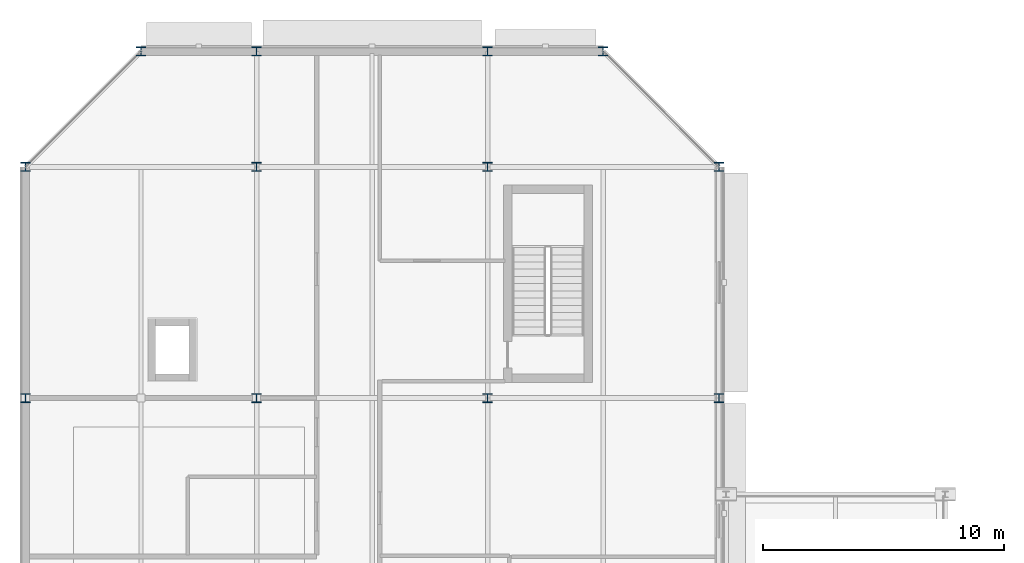
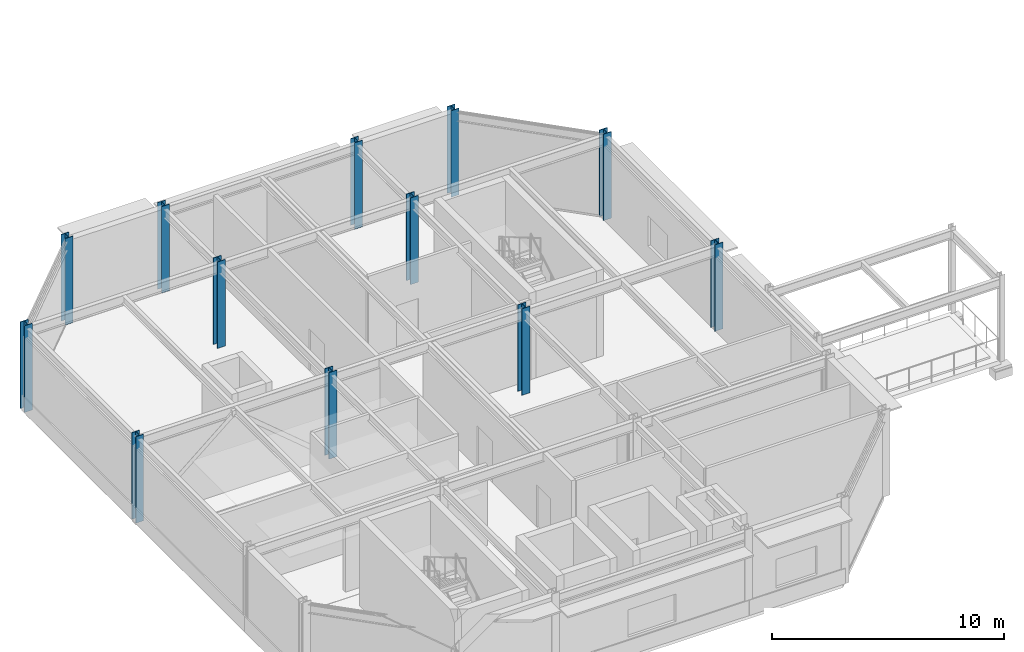
# One storey, part 13 of 157: 12 columns.
"""IFC4 building model written with IfcOpenShell, lengths in metres."""

from ifc_helpers import new_model, si_unit, direction, frame, origin, origin_2d, place, context, subcontext, project, spatial, i_section, extrude, material, material_profile, profile_set, type_object, element, save


model = new_model("IFC4")

# Units and contexts
model_context = context("Model", 3, precision=1e-05, world=origin(), true_north=direction((0.0, 1.0)))
body_context = subcontext(model_context, "Body", "Model", "MODEL_VIEW")
ifc_project = project(units=[si_unit("LENGTHUNIT", "METRE"), si_unit("AREAUNIT", "SQUARE_METRE"), si_unit("VOLUMEUNIT", "CUBIC_METRE"), si_unit("PLANEANGLEUNIT", "RADIAN"), si_unit("MASSUNIT", "GRAM", prefix="KILO")], contexts=[model_context])

# Site, building, storey
site_placement = place(None, origin())
site = spatial("IfcSite", under=ifc_project, at=site_placement, CompositionType="ELEMENT")
building_placement = place(site_placement, origin())
building = spatial("IfcBuilding", under=site, at=building_placement, Name="Almandine Court Research Institute", CompositionType="ELEMENT")
storey_placement = place(building_placement, frame((0.0, 0.0, 5.25)))
storey = spatial("IfcBuildingStorey", under=building, at=storey_placement, Name="L01", CompositionType="ELEMENT", Elevation=5.25)

# Columns
ifc_material = material(Name="Steel ASTM A992 Grade 50", Category="steel")
ifc_material_profile_1 = material_profile(ifc_material, i_section(OverallWidth=0.39404296875, OverallDepth=0.375, WebThickness=0.02001953125, FlangeThickness=0.031982421875, at=origin_2d()), Name="W360x216")
ifc_profile_set_1 = profile_set([ifc_material_profile_1], Name="Steel ASTM A992 Grade 50")
column_type_1 = type_object("IfcColumnType", Name="Col-C-W02", PredefinedType="COLUMN", material=ifc_profile_set_1)
for number, where, z_axis, x_axis, name in (
    (1, (15.60009765625, 103.199951171875, 0.0), (0.0, 0.0, 1.0), (1.0, 0.0, 0.0), "L01 V3 Column V3-X2Y3"),
    (2, (15.60009765625, 112.800048828125, 0.0), (0.0, 0.0, 1.0), (1.0, 0.0, 0.0), "L01 V3 Column V3-X2Y4"),
    (3, (25.199951171875, 103.199951171875, 0.0), (0.0, 0.0, 1.0), (1.0, 0.0, 0.0), "L01 V3 Column V3-X3Y3"),
    (4, (25.199951171875, 112.800048828125, 0.0), (0.0, 0.0, 1.0), (1.0, 0.0, 0.0), "L01 V3 Column V3-X3Y4"),
):
    element("IfcColumn", number, at=place(storey_placement, frame(where, z_axis=z_axis, x_axis=x_axis)), inside=storey, type_object=column_type_1, Name=name, PredefinedType="COLUMN", context=body_context, shape_type="SweptSolid", body=[
        extrude(i_section(OverallWidth=0.39404296875, OverallDepth=0.375, WebThickness=0.02001953125, FlangeThickness=0.031982421875, at=origin_2d()), origin(), (0.0, 0.0, 1.0), 4.550048828125),
    ])
ifc_material_profile_2 = material_profile(ifc_material, i_section(OverallWidth=0.39404296875, OverallDepth=0.375, WebThickness=0.02001953125, FlangeThickness=0.031982421875, at=origin_2d()), Name="W360x216")
ifc_profile_set_2 = profile_set([ifc_material_profile_2], Name="Steel ASTM A992 Grade 50")
column_type_2 = type_object("IfcColumnType", Name="Col-C-W02-E", PredefinedType="COLUMN", material=ifc_profile_set_2)
for number, where, z_axis, x_axis, name in (
    (5, (6.0, 103.199951171875, 0.0), (0.0, 0.0, 1.0), (1.0, 0.0, 0.0), "L01 V3 Column V3-X1Y3"),
    (6, (6.0, 112.800048828125, 0.0), (0.0, 0.0, 1.0), (1.0, 0.0, 0.0), "L01 V3 Column V3-X1Y4"),
    (7, (15.60009765625, 117.60009765625, 0.0), (0.0, 0.0, 1.0), (1.0, 0.0, 0.0), "L01 V3 Column V3-X2Y5"),
    (8, (25.199951171875, 117.60009765625, 0.0), (0.0, 0.0, 1.0), (1.0, 0.0, 0.0), "L01 V3 Column V3-X3Y5"),
    (9, (34.800048828125, 103.199951171875, 0.0), (0.0, 0.0, 1.0), (1.0, 0.0, 0.0), "L01 V3 Column V3-X4Y3"),
    (10, (34.800048828125, 112.800048828125, 0.0), (0.0, 0.0, 1.0), (1.0, 0.0, 0.0), "L01 V3 Column V3-X4Y4"),
    (11, (30.0, 117.60009765625, 0.0), (0.0, 0.0, 1.0), (1.0, 0.0, 0.0), "L01 V3 Column V3-CH5"),
    (12, (10.800048828125, 117.60009765625, 0.0), (0.0, 0.0, 1.0), (1.0, 0.0, 0.0), "L01 V3 Column V3-CH6"),
):
    element("IfcColumn", number, at=place(storey_placement, frame(where, z_axis=z_axis, x_axis=x_axis)), inside=storey, type_object=column_type_2, Name=name, PredefinedType="COLUMN", context=body_context, shape_type="SweptSolid", body=[
        extrude(i_section(OverallWidth=0.39404296875, OverallDepth=0.375, WebThickness=0.02001953125, FlangeThickness=0.031982421875, at=origin_2d()), origin(), (0.0, 0.0, 1.0), 4.550048828125),
    ])

save(model, "model.ifc")
